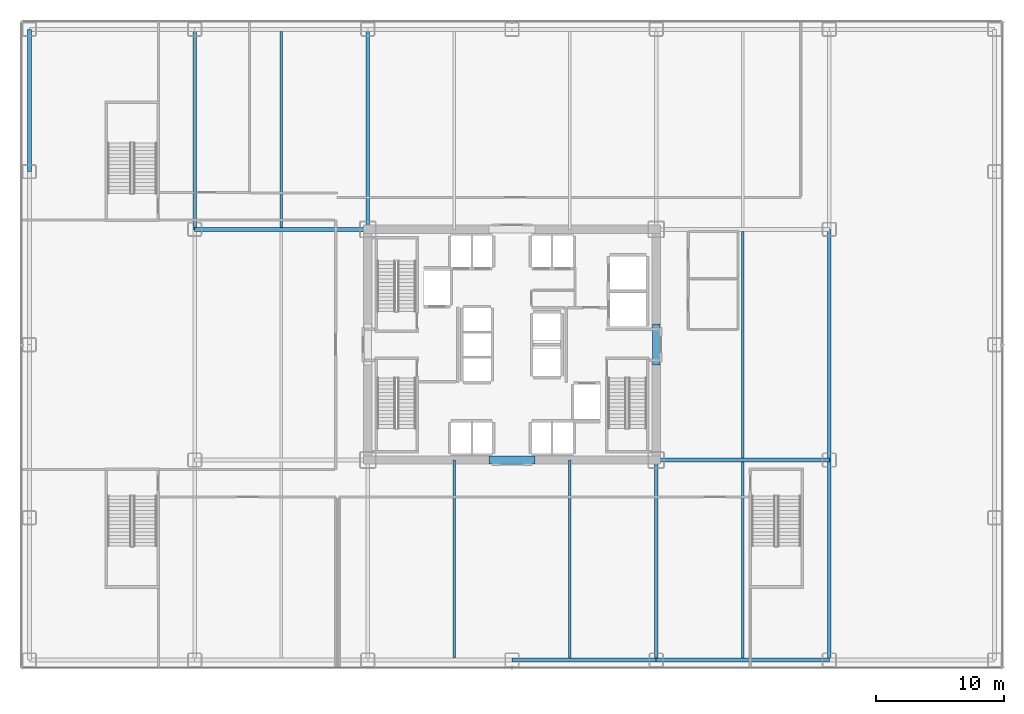
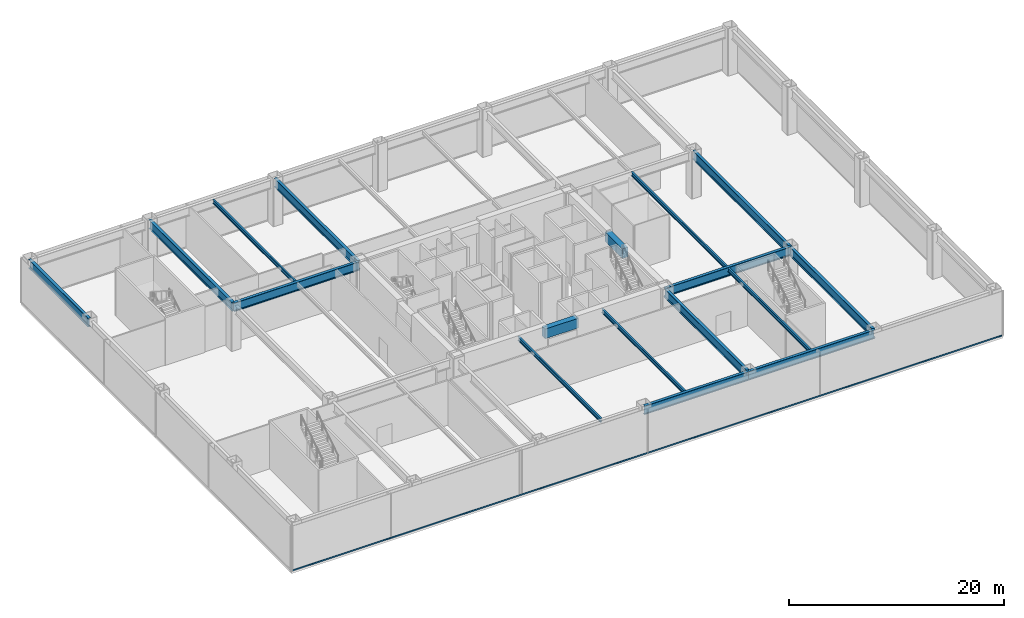
# One storey, part 7 of 24: 17 beams, 1 member, 1 element without a shape of its own.
"""IFC4 building model written with IfcOpenShell, lengths in metres."""

from ifc_helpers import new_model, si_unit, direction, frame, origin, origin_2d, place, context, subcontext, project, spatial, rectangle, hollow_rectangle, i_section, extrude, source, transform, mapped, material, layer, layer_set, material_profile, profile_set, type_object, element, aggregate, save


model = new_model("IFC4")

# Units and contexts
model_context = context("Model", 3, precision=1e-05, world=origin(), true_north=direction((0.0, 1.0)))
body_context = subcontext(model_context, "Body", "Model", "MODEL_VIEW")
ifc_project = project(units=[si_unit("LENGTHUNIT", "METRE"), si_unit("AREAUNIT", "SQUARE_METRE"), si_unit("VOLUMEUNIT", "CUBIC_METRE"), si_unit("PLANEANGLEUNIT", "RADIAN"), si_unit("MASSUNIT", "GRAM", prefix="KILO")], contexts=[model_context])

# Site, building, storey
site_placement = place(None, origin())
site = spatial("IfcSite", under=ifc_project, at=site_placement, CompositionType="ELEMENT")
building_placement = place(site_placement, origin())
building = spatial("IfcBuilding", under=site, at=building_placement, Name="Nefas-Gora Pilgrimage Tower", CompositionType="ELEMENT")
storey_placement = place(building_placement, frame((0.0, 0.0, 11.39990234375)))
storey = spatial("IfcBuildingStorey", under=building, at=storey_placement, Name="L02", CompositionType="ELEMENT", Elevation=11.39990234375)

# Beams
ifc_material_1 = material(Name="Concrete C60/75", Category="concrete")
ifc_material_profile_1 = material_profile(ifc_material_1, rectangle(XDim=0.60009765625, YDim=1.10009765625, at=origin_2d()), Name="RC 600x1100")
ifc_profile_set_1 = profile_set([ifc_material_profile_1], Name="Concrete C60/75")
beam_type_1 = type_object("IfcBeamType", Name="BM-LIN-RC1100", PredefinedType="LINTEL", material=ifc_profile_set_1)
shared_shape_1 = source(origin(), body_context, "Body", "SweptSolid", [
    extrude(rectangle(XDim=0.60009765625, YDim=1.10009765625, at=origin_2d()), origin(), (0.0, 0.0, 1.0), 3.60009765625),
])
beam_1_placement = place(storey_placement, frame((-1.800048828125, -9.0, 4.550048828125), z_axis=(1.0, 0.0, 0.0), x_axis=(0.0, 1.0, 0.0)))
element("IfcBeam", 1, at=beam_1_placement, inside=storey, type_object=beam_type_1, Name="L02 Core Coupling Lintel Beam S", PredefinedType="LINTEL", context=body_context, shape_type="MappedRepresentation", body=[
    mapped(shared_shape_1, transform((0.0, 0.0, 0.0), x_axis=(1.0, 0.0, 0.0), y_axis=(0.0, 1.0, 0.0), z_axis=(0.0, 0.0, 1.0), scale=1.0)),
])
shared_shape_2 = source(origin(), body_context, "Body", "SweptSolid", [
    extrude(rectangle(XDim=0.60009765625, YDim=1.10009765625, at=origin_2d()), origin(), (0.0, 0.0, 1.0), 3.2001953125),
])
beam_2_placement = place(storey_placement, frame((11.25, -1.60009765625, 4.550048828125), z_axis=(0.0, 1.0, 0.0), x_axis=(-1.0, 0.0, 0.0)))
element("IfcBeam", 2, at=beam_2_placement, inside=storey, type_object=beam_type_1, Name="L02 Core Coupling Lintel Beam E", PredefinedType="LINTEL", context=body_context, shape_type="MappedRepresentation", body=[
    mapped(shared_shape_2, transform((0.0, 0.0, 0.0), x_axis=(1.0, 0.0, 0.0), y_axis=(0.0, 1.0, 0.0), z_axis=(0.0, 0.0, 1.0), scale=1.0)),
])
ifc_material_2 = material(Name="Steel S355", Category="steel")
ifc_material_profile_2 = material_profile(ifc_material_2, i_section(OverallWidth=0.18994140625, OverallDepth=0.449951171875, WebThickness=0.009521484375, FlangeThickness=0.0146484375, FilletRadius=0.02099609375, at=origin_2d()), Name="IPE 450")
ifc_profile_set_2 = profile_set([ifc_material_profile_2], Name="Steel S355")
beam_type_2 = type_object("IfcBeamType", Name="BM-JST-IPE450", PredefinedType="JOIST", material=ifc_profile_set_2)
shared_shape_3 = source(origin(), body_context, "Body", "SweptSolid", [
    extrude(i_section(OverallWidth=0.18994140625, OverallDepth=0.449951171875, WebThickness=0.009521484375, FlangeThickness=0.0146484375, FilletRadius=0.02099609375, at=origin_2d()), origin(), (0.0, 0.0, 1.0), 17.68798828125),
])
beam_3_placement = place(storey_placement, frame((18.0, -8.843994140625, 4.875), z_axis=(0.0, 1.0, 0.0), x_axis=(-1.0, 0.0, 0.0)))
element("IfcBeam", 3, at=beam_3_placement, inside=storey, type_object=beam_type_2, Name="L02 J-01 beam", PredefinedType="JOIST", context=body_context, shape_type="MappedRepresentation", body=[
    mapped(shared_shape_3, transform((0.0, 0.0, 0.0), x_axis=(1.0, 0.0, 0.0), y_axis=(0.0, 1.0, 0.0), z_axis=(0.0, 0.0, 1.0), scale=1.0)),
])
shared_shape_4 = source(origin(), body_context, "Body", "SweptSolid", [
    extrude(i_section(OverallWidth=0.18994140625, OverallDepth=0.449951171875, WebThickness=0.009521484375, FlangeThickness=0.0146484375, FilletRadius=0.02099609375, at=origin_2d()), origin(), (0.0, 0.0, 1.0), 15.2880859375),
])
for number, where, z_axis, x_axis, name in (
    (4, (-18.0, 9.156005859375, 4.875), (0.0, 1.0, 0.0), (-1.0, 0.0, 0.0), "L02 J-01 beam"),
    (5, (18.0, -24.444091796875, 4.875), (0.0, 1.0, 0.0), (-1.0, 0.0, 0.0), "L02 J-01 beam"),
):
    element("IfcBeam", number, at=place(storey_placement, frame(where, z_axis=z_axis, x_axis=x_axis)), inside=storey, type_object=beam_type_2, Name=name, PredefinedType="JOIST", context=body_context, shape_type="MappedRepresentation", body=[
        mapped(shared_shape_4, transform((0.0, 0.0, 0.0), x_axis=(1.0, 0.0, 0.0), y_axis=(0.0, 1.0, 0.0), z_axis=(0.0, 0.0, 1.0), scale=1.0)),
    ])
shared_shape_5 = source(origin(), body_context, "Body", "SweptSolid", [
    extrude(i_section(OverallWidth=0.18994140625, OverallDepth=0.449951171875, WebThickness=0.009521484375, FlangeThickness=0.0146484375, FilletRadius=0.02099609375, at=origin_2d()), origin(), (0.0, 0.0, 1.0), 15.444091796875),
])
for number, where, z_axis, x_axis, name in (
    (6, (-4.5, -24.444091796875, 4.875), (0.0, 1.0, 0.0), (-1.0, 0.0, 0.0), "L02 J-01 beam"),
    (7, (4.5, -24.444091796875, 4.875), (0.0, 1.0, 0.0), (-1.0, 0.0, 0.0), "L02 J-01 beam"),
):
    element("IfcBeam", number, at=place(storey_placement, frame(where, z_axis=z_axis, x_axis=x_axis)), inside=storey, type_object=beam_type_2, Name=name, PredefinedType="JOIST", context=body_context, shape_type="MappedRepresentation", body=[
        mapped(shared_shape_5, transform((0.0, 0.0, 0.0), x_axis=(1.0, 0.0, 0.0), y_axis=(0.0, 1.0, 0.0), z_axis=(0.0, 0.0, 1.0), scale=1.0)),
    ])
ifc_material_3 = material(Name="Steel S460", Category="steel")
ifc_material_profile_3 = material_profile(ifc_material_3, i_section(OverallWidth=0.300048828125, OverallDepth=1.0, WebThickness=0.01904296875, FlangeThickness=0.035888671875, FilletRadius=0.030029296875, at=origin_2d()), Name="HEB 1000")
ifc_profile_set_3 = profile_set([ifc_material_profile_3], Name="Steel S460")
beam_type_3 = type_object("IfcBeamType", Name="BM-POD-HEB1000E", PredefinedType="BEAM", material=ifc_profile_set_3)
shared_shape_6 = source(origin(), body_context, "Body", "SweptSolid", [
    extrude(i_section(OverallWidth=0.300048828125, OverallDepth=1.0, WebThickness=0.01904296875, FlangeThickness=0.035888671875, FilletRadius=0.030029296875, at=origin_2d()), origin(), (0.0, 0.0, 1.0), 13.5),
])
beam_4_placement = place(storey_placement, frame((11.25, -24.60009765625, 4.60009765625), z_axis=(1.0, 0.0, 0.0), x_axis=(0.0, 1.0, 0.0)))
element("IfcBeam", 8, at=beam_4_placement, inside=storey, type_object=beam_type_3, Name="L02 PG-01E beam", PredefinedType="BEAM", context=body_context, shape_type="MappedRepresentation", body=[
    mapped(shared_shape_6, transform((0.0, 0.0, 0.0), x_axis=(1.0, 0.0, 0.0), y_axis=(0.0, 1.0, 0.0), z_axis=(0.0, 0.0, 1.0), scale=1.0)),
])
shared_shape_7 = source(origin(), body_context, "Body", "SweptSolid", [
    extrude(i_section(OverallWidth=0.300048828125, OverallDepth=1.0, WebThickness=0.01904296875, FlangeThickness=0.035888671875, FilletRadius=0.030029296875, at=origin_2d()), origin(), (0.0, 0.0, 1.0), 11.25),
])
beam_5_placement = place(storey_placement, frame((0.0, -24.60009765625, 4.60009765625), z_axis=(1.0, 0.0, 0.0), x_axis=(0.0, 1.0, 0.0)))
element("IfcBeam", 9, at=beam_5_placement, inside=storey, type_object=beam_type_3, Name="L02 PG-01E beam", PredefinedType="BEAM", context=body_context, shape_type="MappedRepresentation", body=[
    mapped(shared_shape_7, transform((0.0, 0.0, 0.0), x_axis=(1.0, 0.0, 0.0), y_axis=(0.0, 1.0, 0.0), z_axis=(0.0, 0.0, 1.0), scale=1.0)),
])
shared_shape_8 = source(origin(), body_context, "Body", "SweptSolid", [
    extrude(i_section(OverallWidth=0.300048828125, OverallDepth=1.0, WebThickness=0.01904296875, FlangeThickness=0.035888671875, FilletRadius=0.030029296875, at=origin_2d()), origin(), (0.0, 0.0, 1.0), 11.10009765625),
])
beam_6_placement = place(storey_placement, frame((-37.64990234375, 13.5, 4.60009765625), z_axis=(0.0, 1.0, 0.0), x_axis=(-1.0, 0.0, 0.0)))
element("IfcBeam", 10, at=beam_6_placement, inside=storey, type_object=beam_type_3, Name="L02 PG-01E beam", PredefinedType="BEAM", context=body_context, shape_type="MappedRepresentation", body=[
    mapped(shared_shape_8, transform((0.0, 0.0, 0.0), x_axis=(1.0, 0.0, 0.0), y_axis=(0.0, 1.0, 0.0), z_axis=(0.0, 0.0, 1.0), scale=1.0)),
])
ifc_material_profile_4 = material_profile(ifc_material_3, i_section(OverallWidth=0.300048828125, OverallDepth=1.0, WebThickness=0.01904296875, FlangeThickness=0.035888671875, FilletRadius=0.030029296875, at=origin_2d()), Name="HEB 1000")
ifc_profile_set_4 = profile_set([ifc_material_profile_4], Name="Steel S460")
beam_type_4 = type_object("IfcBeamType", Name="BM-POD-HEB1000", PredefinedType="BEAM", material=ifc_profile_set_4)
shared_shape_9 = source(origin(), body_context, "Body", "SweptSolid", [
    extrude(i_section(OverallWidth=0.300048828125, OverallDepth=1.0, WebThickness=0.01904296875, FlangeThickness=0.035888671875, FilletRadius=0.030029296875, at=origin_2d()), origin(), (0.0, 0.0, 1.0), 13.5),
])
for number, where, z_axis, x_axis, name in (
    (11, (11.25, -9.0, 4.60009765625), (1.0, 0.0, 0.0), (0.0, 1.0, 0.0), "L02 PG-01 beam"),
    (12, (-24.75, 9.0, 4.60009765625), (1.0, 0.0, 0.0), (0.0, 1.0, 0.0), "L02 PG-01 beam"),
):
    element("IfcBeam", number, at=place(storey_placement, frame(where, z_axis=z_axis, x_axis=x_axis)), inside=storey, type_object=beam_type_4, Name=name, PredefinedType="BEAM", context=body_context, shape_type="MappedRepresentation", body=[
        mapped(shared_shape_9, transform((0.0, 0.0, 0.0), x_axis=(1.0, 0.0, 0.0), y_axis=(0.0, 1.0, 0.0), z_axis=(0.0, 0.0, 1.0), scale=1.0)),
    ])
shared_shape_10 = source(origin(), body_context, "Body", "SweptSolid", [
    extrude(i_section(OverallWidth=0.300048828125, OverallDepth=1.0, WebThickness=0.01904296875, FlangeThickness=0.035888671875, FilletRadius=0.030029296875, at=origin_2d()), origin(), (0.0, 0.0, 1.0), 15.60009765625),
])
for number, where, z_axis, x_axis, name in (
    (13, (-24.75, 9.0, 4.60009765625), (0.0, 1.0, 0.0), (-1.0, 0.0, 0.0), "L02 PG-01 beam"),
    (14, (-11.25, 9.0, 4.60009765625), (0.0, 1.0, 0.0), (-1.0, 0.0, 0.0), "L02 PG-01 beam"),
    (15, (11.25, -24.60009765625, 4.60009765625), (0.0, 1.0, 0.0), (-1.0, 0.0, 0.0), "L02 PG-01 beam"),
    (16, (24.75, -24.60009765625, 4.60009765625), (0.0, 1.0, 0.0), (-1.0, 0.0, 0.0), "L02 PG-01 beam"),
):
    element("IfcBeam", number, at=place(storey_placement, frame(where, z_axis=z_axis, x_axis=x_axis)), inside=storey, type_object=beam_type_4, Name=name, PredefinedType="BEAM", context=body_context, shape_type="MappedRepresentation", body=[
        mapped(shared_shape_10, transform((0.0, 0.0, 0.0), x_axis=(1.0, 0.0, 0.0), y_axis=(0.0, 1.0, 0.0), z_axis=(0.0, 0.0, 1.0), scale=1.0)),
    ])
shared_shape_11 = source(origin(), body_context, "Body", "SweptSolid", [
    extrude(i_section(OverallWidth=0.300048828125, OverallDepth=1.0, WebThickness=0.01904296875, FlangeThickness=0.035888671875, FilletRadius=0.030029296875, at=origin_2d()), origin(), (0.0, 0.0, 1.0), 18.0),
])
beam_7_placement = place(storey_placement, frame((24.75, -9.0, 4.60009765625), z_axis=(0.0, 1.0, 0.0), x_axis=(-1.0, 0.0, 0.0)))
element("IfcBeam", 17, at=beam_7_placement, inside=storey, type_object=beam_type_4, Name="L02 PG-01 beam", PredefinedType="BEAM", context=body_context, shape_type="MappedRepresentation", body=[
    mapped(shared_shape_11, transform((0.0, 0.0, 0.0), x_axis=(1.0, 0.0, 0.0), y_axis=(0.0, 1.0, 0.0), z_axis=(0.0, 0.0, 1.0), scale=1.0)),
])

# Curtain wall, member
ifc_material_4 = material(Name="Dark ceramic-fritted solar-control aluminium-glass curtain wall", Category="aluminium")
ifc_layer = layer(ifc_material_4, 0.219970703125)
ifc_layer_set = layer_set([ifc_layer], Name="Dark ceramic-fritted solar-control aluminium-glass curtain wall")
curtain_wall_type = type_object("IfcCurtainWallType", Name="CW-SYS-1", PredefinedType="NOTDEFINED", material=ifc_layer_set)
curtain_wall_placement = place(storey_placement, origin())
curtain_wall = element("IfcCurtainWall", 18, at=curtain_wall_placement, inside=storey, type_object=curtain_wall_type, Name="L02 Unitised Curtain Wall CW1", PredefinedType="NOTDEFINED")
ifc_material_5 = material(Name="Anodised architectural aluminium", Category="aluminium")
ifc_material_profile_5 = material_profile(ifc_material_5, hollow_rectangle(XDim=0.080078125, YDim=0.159912109375, WallThickness=0.00439453125, InnerFilletRadius=0.00439453125, OuterFilletRadius=0.009033203125, at=origin_2d()), Name="ALU TRANSOM 80x160")
ifc_profile_set_5 = profile_set([ifc_material_profile_5], Name="Anodised architectural aluminium")
member_type = type_object("IfcMemberType", Name="CWM-TRN-1", PredefinedType="USERDEFINED", material=ifc_profile_set_5)
shared_shape_12 = source(origin(), body_context, "Body", "SweptSolid", [
    extrude(hollow_rectangle(XDim=0.080078125, YDim=0.159912109375, WallThickness=0.00439453125, InnerFilletRadius=0.00439453125, OuterFilletRadius=0.009033203125, at=origin_2d()), origin(), (0.0, 0.0, 1.0), 76.31982421875),
])
member_placement = place(storey_placement, frame((-38.159912109375, -25.199951171875, 0.050048828125), z_axis=(1.0, 0.0, 0.0), x_axis=(0.0, 1.0, 0.0)))
member = element("IfcMember", 19, at=member_placement, type_object=member_type, Name="CW1 Spandrel Transom", ObjectType="TRANSOM", PredefinedType="USERDEFINED", context=body_context, shape_type="MappedRepresentation", body=[
    mapped(shared_shape_12, transform((0.0, 0.0, 0.0), x_axis=(1.0, 0.0, 0.0), y_axis=(0.0, 1.0, 0.0), z_axis=(0.0, 0.0, 1.0), scale=1.0)),
])
aggregate(curtain_wall, [member])

save(model, "model.ifc")
